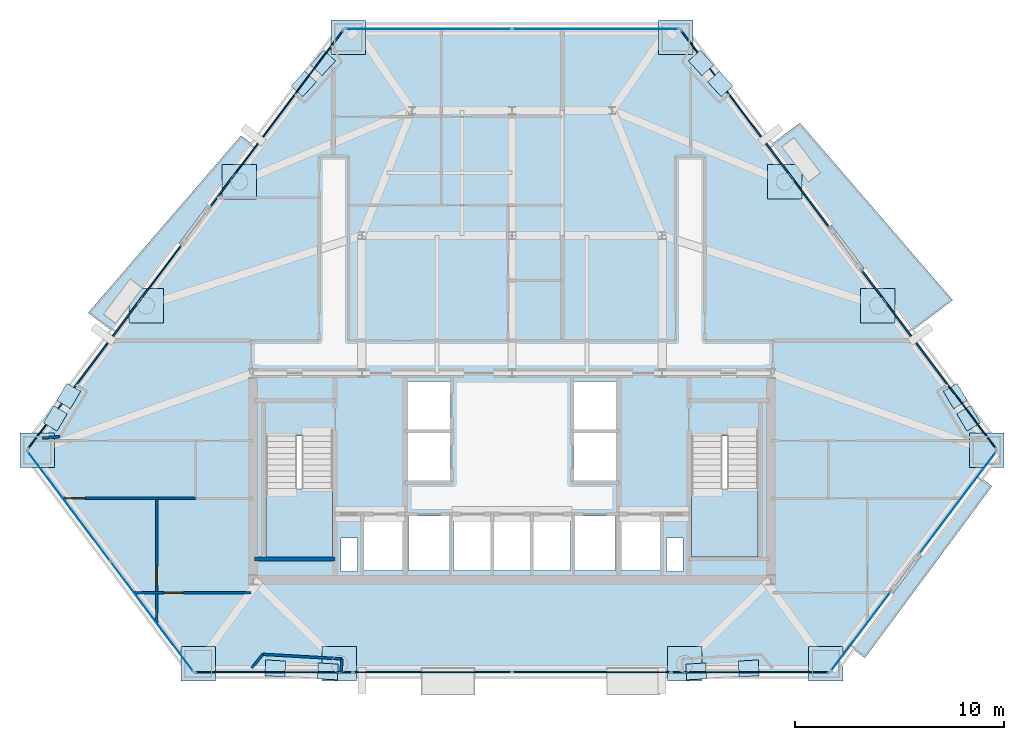
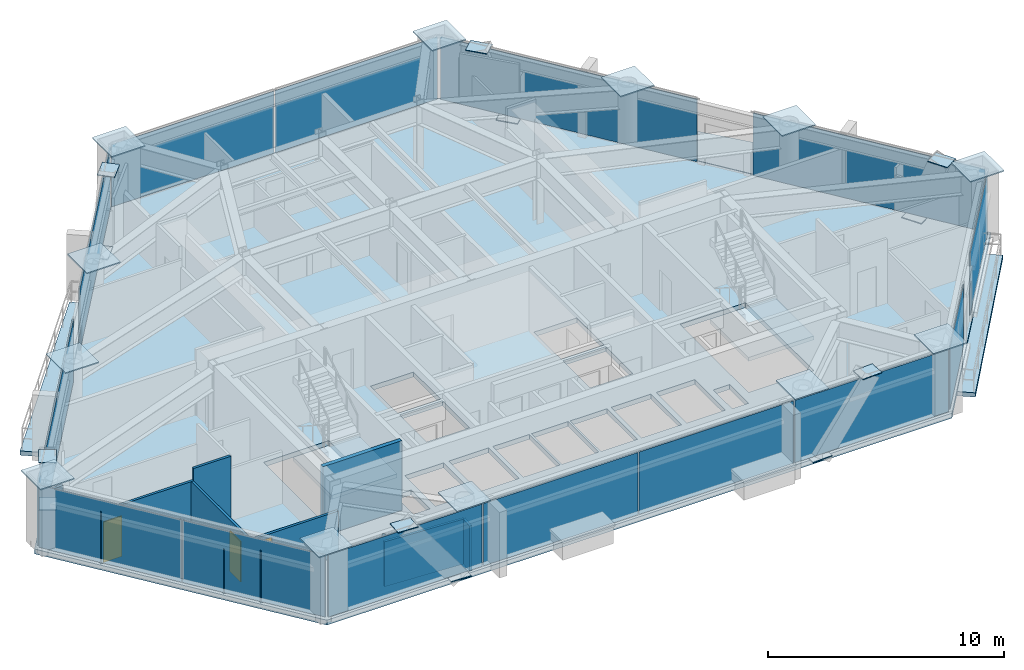
# One storey, part 5 of 10: 38 plates, 9 walls, 6 slabs, 3 doors, 3 openings, 11 elements without a shape of their own.
"""IFC4 building model written with IfcOpenShell, lengths in metres."""

from ifc_helpers import new_model, si_unit, direction, frame, frame_2d, origin, origin_2d, place, context, subcontext, project, spatial, polyline, rectangle, outline, extrude, source, transform, mapped, material, layer, layer_set, type_object, type_shapes, element, fill, aggregate, save


model = new_model("IFC4")

# Units and contexts
model_context = context("Model", 3, precision=1e-05, world=origin(), true_north=direction((0.0, 1.0)))
body_context = subcontext(model_context, "Body", "Model", "MODEL_VIEW")
ifc_project = project(units=[si_unit("LENGTHUNIT", "METRE"), si_unit("AREAUNIT", "SQUARE_METRE"), si_unit("VOLUMEUNIT", "CUBIC_METRE"), si_unit("PLANEANGLEUNIT", "RADIAN"), si_unit("MASSUNIT", "GRAM", prefix="KILO")], contexts=[model_context])

# Site, building, storey
site_placement = place(None, origin())
site = spatial("IfcSite", under=ifc_project, at=site_placement, CompositionType="ELEMENT")
building_placement = place(site_placement, origin())
building = spatial("IfcBuilding", under=site, at=building_placement, Name="Talgorran Terracotta Tower", CompositionType="ELEMENT")
storey_placement = place(building_placement, frame((0.0, 0.0, 49.5)))
storey = spatial("IfcBuildingStorey", under=building, at=storey_placement, Name="L12", CompositionType="ELEMENT", Elevation=49.5)

# Plates
ifc_material_1 = material(Name="Steel Grade 350 (350L0)", Category="steel")
ifc_layer_1 = layer(ifc_material_1, 0.0400390625, Name="PL_CAP_MN05")
ifc_layer_set_1 = layer_set([ifc_layer_1], Name="Steel Grade 350 (350L0)")
plate_type_1 = type_object("IfcPlateType", Name="PL_CAP_MN05", PredefinedType="USERDEFINED", material=ifc_layer_set_1)
for number, where, z_axis, x_axis, name in (
    (1, (-8.82958984375, -18.49560546875, -0.010009765625), (0.0, 0.0, 1.0), (-0.998351848226, 0.057389782566, 0.0), "L12 Diagonal Frame End Cap SWF Bot"),
    (2, (-11.3466796875, -18.35107421875, 3.320068359375), (0.0, 0.0, 1.0), (-0.998351848226, 0.057389782566, 0.0), "L12 Diagonal Frame End Cap SWF Top"),
    (3, (8.82958984375, -18.49560546875, -0.010009765625), (0.0, 0.0, 1.0), (0.998351848226, 0.057389782566, 0.0), "L12 Diagonal Frame End Cap SEF Bot"),
    (4, (11.3466796875, -18.35107421875, 3.320068359375), (0.0, 0.0, 1.0), (0.998351848226, 0.057389782566, 0.0), "L12 Diagonal Frame End Cap SEF Top"),
    (5, (21.251220703125, -5.2919921875, -0.010009765625), (0.0, 0.0, 1.0), (0.511293086077, -0.859406411501, 0.0), "L12 Diagonal Frame End Cap NEL Bot"),
    (6, (21.889892578125, -6.365478515625, 3.320068359375), (0.0, 0.0, 1.0), (0.511293086077, -0.859406411501, 0.0), "L12 Diagonal Frame End Cap NEL Top"),
    (7, (9.985595703125, 9.665283203125, -0.010009765625), (0.0, 0.0, 1.0), (-0.675332808121, 0.737513117358, 0.0), "L12 Diagonal Frame End Cap NEU Bot"),
    (8, (9.0634765625, 10.67236328125, 3.320068359375), (0.0, 0.0, 1.0), (-0.675332808121, 0.737513117358, 0.0), "L12 Diagonal Frame End Cap NEU Top"),
    (9, (-9.985595703125, 9.665283203125, -0.010009765625), (0.0, 0.0, 1.0), (0.675332808121, 0.737513117358, 0.0), "L12 Diagonal Frame End Cap NWU Bot"),
    (10, (-9.0634765625, 10.67236328125, 3.320068359375), (0.0, 0.0, 1.0), (0.675332808121, 0.737513117358, 0.0), "L12 Diagonal Frame End Cap NWU Top"),
    (11, (-21.251220703125, -5.2919921875, -0.010009765625), (0.0, 0.0, 1.0), (-0.511293086077, -0.859406411501, 0.0), "L12 Diagonal Frame End Cap NWL Bot"),
    (12, (-21.889892578125, -6.365478515625, 3.320068359375), (0.0, 0.0, 1.0), (-0.511293086077, -0.859406411501, 0.0), "L12 Diagonal Frame End Cap NWL Top"),
):
    element("IfcPlate", number, at=place(storey_placement, frame(where, z_axis=z_axis, x_axis=x_axis)), inside=storey, type_object=plate_type_1, Name=name, ObjectType="CAP PLATE", PredefinedType="USERDEFINED", context=body_context, shape_type="SweptSolid", body=[
        extrude(rectangle(XDim=0.9599609375, YDim=0.760009765625, at=origin_2d()), origin(), (0.0, 0.0, 1.0), 0.0400390625),
    ])
ifc_layer_2 = layer(ifc_material_1, 0.06005859375, Name="PL_NODE_MN01")
ifc_layer_set_2 = layer_set([ifc_layer_2], Name="Steel Grade 350 (350L0)")
plate_type_2 = type_object("IfcPlateType", Name="PL_NODE_MN01", PredefinedType="USERDEFINED", material=ifc_layer_set_2)
for number, where, z_axis, x_axis, name in (
    (13, (-22.759033203125, -7.892333984375, 3.5849609375), (0.0, 0.0, 1.0), (1.0, 0.0, 0.0), "L12 Mega-Column Cap Plate MC1"),
    (14, (-15.0439453125, -18.135498046875, 3.5849609375), (0.0, 0.0, 1.0), (1.0, 0.0, 0.0), "L12 Mega-Column Cap Plate MC2"),
    (15, (15.0439453125, -18.135498046875, 3.5849609375), (0.0, 0.0, 1.0), (1.0, 0.0, 0.0), "L12 Mega-Column Cap Plate MC3"),
    (16, (22.759033203125, -7.892333984375, 3.5849609375), (0.0, 0.0, 1.0), (1.0, 0.0, 0.0), "L12 Mega-Column Cap Plate MC4"),
    (17, (7.847412109375, 11.90576171875, 3.5849609375), (0.0, 0.0, 1.0), (1.0, 0.0, 0.0), "L12 Mega-Column Cap Plate MC5"),
    (18, (-7.847412109375, 11.90576171875, 3.5849609375), (0.0, 0.0, 1.0), (1.0, 0.0, 0.0), "L12 Mega-Column Cap Plate MC6"),
    (19, (-8.274169921875, -18.135498046875, 3.5849609375), (0.0, 0.0, 1.0), (1.0, 0.0, 0.0), "L12 Facet Column Cap Plate FC1"),
    (20, (8.274169921875, -18.135498046875, 3.5849609375), (0.0, 0.0, 1.0), (1.0, 0.0, 0.0), "L12 Facet Column Cap Plate FC2"),
    (21, (17.539794921875, -0.963134765625, 3.5849609375), (0.0, 0.0, 1.0), (1.0, 0.0, 0.0), "L12 Facet Column Cap Plate FC3"),
    (22, (13.06640625, 4.976318359375, 3.5849609375), (0.0, 0.0, 1.0), (1.0, 0.0, 0.0), "L12 Facet Column Cap Plate FC4"),
    (23, (-13.06640625, 4.976318359375, 3.5849609375), (0.0, 0.0, 1.0), (1.0, 0.0, 0.0), "L12 Facet Column Cap Plate FC5"),
    (24, (-17.539794921875, -0.963134765625, 3.5849609375), (0.0, 0.0, 1.0), (1.0, 0.0, 0.0), "L12 Facet Column Cap Plate FC6"),
):
    element("IfcPlate", number, at=place(storey_placement, frame(where, z_axis=z_axis, x_axis=x_axis)), inside=storey, type_object=plate_type_2, Name=name, ObjectType="NODE PLATE", PredefinedType="USERDEFINED", context=body_context, shape_type="SweptSolid", body=[
        extrude(rectangle(XDim=1.64990234375, YDim=1.64990234375, at=origin_2d()), origin(), (0.0, 0.0, 1.0), 0.06005859375),
    ])

# Slabs
ifc_material_2 = material(Name="Concrete C40/50", Category="concrete")
ifc_layer_3 = layer(ifc_material_2, 0.219970703125, Name="SL_BALCONY_220")
ifc_layer_set_3 = layer_set([ifc_layer_3], Name="Concrete C40/50")
slab_type_1 = type_object("IfcSlabType", Name="SL_BALCONY_220", PredefinedType="FLOOR", material=ifc_layer_set_3)
slab_1_placement = place(storey_placement, frame((0.0, 0.0, -0.219970703125)))
element("IfcSlab", 25, at=slab_1_placement, inside=storey, type_object=slab_type_1, Name="L12 Outdoor Wave Balcony BAL-NE", PredefinedType="FLOOR", context=body_context, shape_type="SweptSolid", body=[
    extrude(outline(polyline([(12.403564453125, 6.74560546875), (19.13720703125, -2.1943359375), (21.123046875, -0.698486328125), (13.798095703125, 7.7958984375), (12.403564453125, 6.74560546875)])), origin(), (0.0, 0.0, 1.0), 0.219970703125),
])
slab_2_placement = place(storey_placement, frame((0.0, 0.0, -0.219970703125)))
element("IfcSlab", 26, at=slab_2_placement, inside=storey, type_object=slab_type_1, Name="L12 Outdoor Wave Balcony BAL-NW", PredefinedType="FLOOR", context=body_context, shape_type="SweptSolid", body=[
    extrude(outline(polyline([(-19.13720703125, -2.1943359375), (-12.403564453125, 6.74560546875), (-12.98974609375, 7.18701171875), (-20.314697265625, -1.307373046875), (-19.13720703125, -2.1943359375)])), origin(), (0.0, 0.0, 1.0), 0.219970703125),
])
slab_3_placement = place(storey_placement, frame((0.0, 0.0, -0.219970703125)))
element("IfcSlab", 27, at=slab_3_placement, inside=storey, type_object=slab_type_1, Name="L12 Outdoor Wave Balcony BAL-SE", PredefinedType="FLOOR", context=body_context, shape_type="SweptSolid", body=[
    extrude(outline(polyline([(22.44921875, -9.193115234375), (16.2880859375, -17.373046875), (16.918212890625, -17.84765625), (23.0087890625, -9.614501953125), (22.44921875, -9.193115234375)])), origin(), (0.0, 0.0, 1.0), 0.219970703125),
])

# Stair, slab
stair_type = type_object("IfcStairType", Name="ST_FIRE_SCISSOR", PredefinedType="HALF_TURN_STAIR", material=ifc_material_2)
stair_1_placement = place(storey_placement, origin())
stair_1 = element("IfcStair", 28, at=stair_1_placement, inside=storey, type_object=stair_type, Name="L12 West Protected Fire Stair ST-01", PredefinedType="HALF_TURN_STAIR")
ifc_layer_4 = layer(ifc_material_2, 0.199951171875, Name="SL_LANDING_200")
ifc_layer_set_4 = layer_set([ifc_layer_4], Name="Concrete C40/50")
slab_type_2 = type_object("IfcSlabType", Name="SL_LANDING_200", PredefinedType="LANDING", material=ifc_layer_set_4)
slab_4_placement = place(storey_placement, frame((0.0, 0.0, 1.60009765625)))
slab_4 = element("IfcSlab", 29, at=slab_4_placement, type_object=slab_type_2, Name="ST-01 landing 1", PredefinedType="LANDING", context=body_context, shape_type="SweptSolid", body=[
    extrude(outline(polyline([(-11.800048828125, -9.719970703125), (-11.800048828125, -13.0), (-8.60009765625, -13.0), (-8.60009765625, -9.719970703125), (-11.800048828125, -9.719970703125)])), origin(), (0.0, 0.0, 1.0), 0.199951171875),
])
aggregate(stair_1, [slab_4])

stair_2_placement = place(storey_placement, origin())
stair_2 = element("IfcStair", 30, at=stair_2_placement, inside=storey, type_object=stair_type, Name="L12 East Protected Fire Stair ST-02", PredefinedType="HALF_TURN_STAIR")
slab_5_placement = place(storey_placement, frame((0.0, 0.0, 1.60009765625)))
slab_5 = element("IfcSlab", 31, at=slab_5_placement, type_object=slab_type_2, Name="ST-02 landing 1", PredefinedType="LANDING", context=body_context, shape_type="SweptSolid", body=[
    extrude(outline(polyline([(8.60009765625, -9.719970703125), (8.60009765625, -13.0), (11.800048828125, -13.0), (11.800048828125, -9.719970703125), (8.60009765625, -9.719970703125)])), origin(), (0.0, 0.0, 1.0), 0.199951171875),
])
aggregate(stair_2, [slab_5])

# Slab
ifc_layer_5 = layer(ifc_material_2, 0.264892578125, Name="SL_TOWER_265")
ifc_layer_set_5 = layer_set([ifc_layer_5], Name="Concrete C40/50")
slab_type_3 = type_object("IfcSlabType", Name="SL_TOWER_265", PredefinedType="FLOOR", material=ifc_layer_set_5)
slab_6_placement = place(storey_placement, frame((0.0, 0.0, -0.25)))
element("IfcSlab", 32, at=slab_6_placement, inside=storey, type_object=slab_type_3, Name="Storey L12 Structural Floor Slab", PredefinedType="FLOOR", context=body_context, shape_type="SweptSolid", body=[
    extrude(outline(polyline([(-23.409912109375, -7.892333984375), (-15.30322265625, -18.655517578125), (15.30322265625, -18.655517578125), (23.409912109375, -7.892333984375), (8.106689453125, 12.42578125), (-8.106689453125, 12.42578125), (-23.409912109375, -7.892333984375)]), holes=[polyline([(-11.800048828125, -7.199951171875), (-11.800048828125, -13.0), (-8.60009765625, -13.0), (-8.60009765625, -7.199951171875), (-11.800048828125, -7.199951171875)]), polyline([(8.60009765625, -7.199951171875), (8.60009765625, -13.0), (11.800048828125, -13.0), (11.800048828125, -7.199951171875), (8.60009765625, -7.199951171875)]), polyline([(-7.10009765625, -13.64990234375), (-5.199951171875, -13.64990234375), (-5.199951171875, -11.050048828125), (-7.10009765625, -11.050048828125), (-7.10009765625, -13.64990234375)]), polyline([(5.199951171875, -13.64990234375), (7.10009765625, -13.64990234375), (7.10009765625, -11.050048828125), (5.199951171875, -11.050048828125), (5.199951171875, -13.64990234375)]), polyline([(3.0, -13.64990234375), (4.949951171875, -13.64990234375), (4.949951171875, -11.050048828125), (3.0, -11.050048828125), (3.0, -13.64990234375)]), polyline([(-4.949951171875, -13.64990234375), (-3.0, -13.64990234375), (-3.0, -11.050048828125), (-4.949951171875, -11.050048828125), (-4.949951171875, -13.64990234375)]), polyline([(-5.050048828125, -9.35009765625), (-2.949951171875, -9.35009765625), (-2.949951171875, -7.050048828125), (-5.050048828125, -7.050048828125), (-5.050048828125, -9.35009765625)]), polyline([(-5.050048828125, -6.89990234375), (-2.949951171875, -6.89990234375), (-2.949951171875, -4.60009765625), (-5.050048828125, -4.60009765625), (-5.050048828125, -6.89990234375)]), polyline([(2.949951171875, -9.35009765625), (5.050048828125, -9.35009765625), (5.050048828125, -7.050048828125), (2.949951171875, -7.050048828125), (2.949951171875, -9.35009765625)]), polyline([(2.949951171875, -6.89990234375), (5.050048828125, -6.89990234375), (5.050048828125, -4.60009765625), (2.949951171875, -4.60009765625), (2.949951171875, -6.89990234375)]), polyline([(-2.800048828125, -13.64990234375), (-1.0, -13.64990234375), (-1.0, -11.050048828125), (-2.800048828125, -11.050048828125), (-2.800048828125, -13.64990234375)]), polyline([(-0.89990234375, -13.64990234375), (0.89990234375, -13.64990234375), (0.89990234375, -11.050048828125), (-0.89990234375, -11.050048828125), (-0.89990234375, -13.64990234375)]), polyline([(1.0, -13.64990234375), (2.800048828125, -13.64990234375), (2.800048828125, -11.050048828125), (1.0, -11.050048828125), (1.0, -13.64990234375)]), polyline([(-8.199951171875, -13.699951171875), (-7.39990234375, -13.699951171875), (-7.39990234375, -12.10009765625), (-8.199951171875, -12.10009765625), (-8.199951171875, -13.699951171875)]), polyline([(7.39990234375, -13.699951171875), (8.199951171875, -13.699951171875), (8.199951171875, -12.10009765625), (7.39990234375, -12.10009765625), (7.39990234375, -13.699951171875)])]), origin(), (0.0, 0.0, 1.0), 0.25),
])

# Curtain wall, plates
ifc_material_3 = material(Name="Unitised Low-E Double Glazing", Category="glass")
ifc_layer_6 = layer(ifc_material_3, 0.199951171875, Name="CW_SYS2_RES_LOW")
ifc_layer_set_6 = layer_set([ifc_layer_6], Name="Unitised Low-E Double Glazing")
curtain_wall_type = type_object("IfcCurtainWallType", Name="CW_SYS2_RES_LOW", PredefinedType="NOTDEFINED", material=ifc_layer_set_6)
curtain_wall_1_placement = place(storey_placement, origin())
curtain_wall_1 = element("IfcCurtainWall", 33, at=curtain_wall_1_placement, inside=storey, type_object=curtain_wall_type, Name="CW-L12-F0", PredefinedType="NOTDEFINED")
ifc_material_4 = material(Name="Low-E Laminated Vision Glass", Category="glass")
ifc_layer_7 = layer(ifc_material_4, 0.028076171875, Name="PLT_VISION_28")
ifc_layer_set_7 = layer_set([ifc_layer_7], Name="Low-E Laminated Vision Glass")
plate_type_3 = type_object("IfcPlateType", Name="PLT_VISION_28", PredefinedType="CURTAIN_PANEL", material=ifc_layer_set_7)
shared_shape_1 = source(origin(), body_context, "Body", "SweptSolid", [
    extrude(rectangle(XDim=6.564697265625, YDim=0.028076171875, at=origin_2d()), origin(), (0.0, 0.0, 1.0), 3.219970703125),
])
plate_1_placement = place(storey_placement, frame((-21.245849609375, -10.566162109375, 0.06494140625), z_axis=(0.0, 0.0, 1.0), x_axis=(0.60163184062, -0.798773515054, 0.0)))
plate_1 = element("IfcPlate", 34, at=plate_1_placement, type_object=plate_type_3, Name="CW-L12-0 panel 1.1", PredefinedType="CURTAIN_PANEL", context=body_context, shape_type="MappedRepresentation", body=[
    mapped(shared_shape_1, transform((0.0, 0.0, 0.0), scale=1.0)),
])
plate_2_placement = place(storey_placement, frame((-17.25732421875, -15.86181640625, 0.06494140625), z_axis=(0.0, 0.0, 1.0), x_axis=(0.60163184062, -0.798773515054, 0.0)))
plate_2 = element("IfcPlate", 35, at=plate_2_placement, type_object=plate_type_3, Name="CW-L12-0 panel 2.1", PredefinedType="CURTAIN_PANEL", context=body_context, shape_type="MappedRepresentation", body=[
    mapped(shared_shape_1, transform((0.0, 0.0, 0.0), scale=1.0)),
])
aggregate(curtain_wall_1, [plate_1, plate_2])

curtain_wall_2_placement = place(storey_placement, origin())
curtain_wall_2 = element("IfcCurtainWall", 36, at=curtain_wall_2_placement, inside=storey, type_object=curtain_wall_type, Name="CW-L12-F4", PredefinedType="NOTDEFINED")
shared_shape_2 = source(origin(), body_context, "Body", "SweptSolid", [
    extrude(rectangle(XDim=7.949462890625, YDim=0.028076171875, at=origin_2d()), origin(), (0.0, 0.0, 1.0), 3.219970703125),
])
plate_3_placement = place(storey_placement, frame((4.007080078125, 12.3056640625, 0.06494140625), z_axis=(0.0, 0.0, 1.0), x_axis=(-1.0, 0.0, 0.0)))
plate_3 = element("IfcPlate", 37, at=plate_3_placement, type_object=plate_type_3, Name="CW-L12-4 panel 1.1", PredefinedType="CURTAIN_PANEL", context=body_context, shape_type="MappedRepresentation", body=[
    mapped(shared_shape_2, transform((0.0, 0.0, 0.0), scale=1.0)),
])
plate_4_placement = place(storey_placement, frame((-4.007080078125, 12.3056640625, 0.06494140625), z_axis=(0.0, 0.0, 1.0), x_axis=(-1.0, 0.0, 0.0)))
plate_4 = element("IfcPlate", 38, at=plate_4_placement, type_object=plate_type_3, Name="CW-L12-4 panel 2.1", PredefinedType="CURTAIN_PANEL", context=body_context, shape_type="MappedRepresentation", body=[
    mapped(shared_shape_2, transform((0.0, 0.0, 0.0), scale=1.0)),
])
aggregate(curtain_wall_2, [plate_3, plate_4])

# Curtain wall, plate
curtain_wall_3_placement = place(storey_placement, origin())
curtain_wall_3 = element("IfcCurtainWall", 39, at=curtain_wall_3_placement, inside=storey, type_object=curtain_wall_type, Name="CW-L12-F30", PredefinedType="NOTDEFINED")
shared_shape_3 = source(origin(), body_context, "Body", "SweptSolid", [
    extrude(rectangle(XDim=4.714599609375, YDim=0.028076171875, at=origin_2d()), origin(), (0.0, 0.0, 1.0), 3.219970703125),
])
plate_5_placement = place(storey_placement, frame((16.724853515625, -16.568603515625, 0.06494140625), z_axis=(0.0, 0.0, 1.0), x_axis=(0.601630235956, 0.798774723676, 0.0)))
plate_5 = element("IfcPlate", 40, at=plate_5_placement, type_object=plate_type_3, Name="CW-L12-30 panel 1.1", PredefinedType="CURTAIN_PANEL", context=body_context, shape_type="MappedRepresentation", body=[
    mapped(shared_shape_3, transform((0.0, 0.0, 0.0), scale=1.0)),
])
aggregate(curtain_wall_3, [plate_5])

curtain_wall_4_placement = place(storey_placement, origin())
curtain_wall_4 = element("IfcCurtainWall", 41, at=curtain_wall_4_placement, inside=storey, type_object=curtain_wall_type, Name="CW-L12-F31", PredefinedType="NOTDEFINED")
shared_shape_4 = source(origin(), body_context, "Body", "SweptSolid", [
    extrude(rectangle(XDim=6.109619140625, YDim=0.028076171875, at=origin_2d()), origin(), (0.0, 0.0, 1.0), 3.219970703125),
])
type_shapes(plate_type_3, [shared_shape_1, shared_shape_2, shared_shape_3, shared_shape_4])
plate_6_placement = place(storey_placement, frame((21.358642578125, -10.41650390625, 0.06494140625), z_axis=(0.0, 0.0, 1.0), x_axis=(0.601632163053, 0.798773272199, 0.0)))
plate_6 = element("IfcPlate", 42, at=plate_6_placement, type_object=plate_type_3, Name="CW-L12-31 panel 1.1", PredefinedType="CURTAIN_PANEL", context=body_context, shape_type="MappedRepresentation", body=[
    mapped(shared_shape_4, transform((0.0, 0.0, 0.0), scale=1.0)),
])
aggregate(curtain_wall_4, [plate_6])

# Curtain wall, plates
curtain_wall_5_placement = place(storey_placement, origin())
curtain_wall_5 = element("IfcCurtainWall", 43, at=curtain_wall_5_placement, inside=storey, type_object=curtain_wall_type, Name="CW-L12-F1", PredefinedType="NOTDEFINED")
ifc_material_5 = material(Name="Terracotta Insulated Spandrel", Category="masonry")
ifc_layer_8 = layer(ifc_material_5, 0.06494140625, Name="PLT_SPANDREL_TERRA")
ifc_layer_set_8 = layer_set([ifc_layer_8], Name="Terracotta Insulated Spandrel")
plate_type_4 = type_object("IfcPlateType", Name="PLT_SPANDREL_TERRA", PredefinedType="SHEET", material=ifc_layer_set_8)
shared_shape_5 = source(origin(), body_context, "Body", "SweptSolid", [
    extrude(rectangle(XDim=7.524169921875, YDim=0.06494140625, at=origin_2d()), origin(), (0.0, 0.0, 1.0), 3.219970703125),
])
plate_7_placement = place(storey_placement, frame((-11.416259765625, -18.53564453125, 0.06494140625), z_axis=(0.0, 0.0, 1.0), x_axis=(1.0, 0.0, 0.0)))
plate_7 = element("IfcPlate", 44, at=plate_7_placement, type_object=plate_type_4, Name="CW-L12-1 panel 1.1", PredefinedType="CURTAIN_PANEL", context=body_context, shape_type="MappedRepresentation", body=[
    mapped(shared_shape_5, transform((0.0, 0.0, 0.0), scale=1.0)),
])
plate_8_placement = place(storey_placement, frame((11.416259765625, -18.53564453125, 0.06494140625), z_axis=(0.0, 0.0, 1.0), x_axis=(1.0, 0.0, 0.0)))
plate_8 = element("IfcPlate", 45, at=plate_8_placement, type_object=plate_type_4, Name="CW-L12-1 panel 4.1", PredefinedType="CURTAIN_PANEL", context=body_context, shape_type="MappedRepresentation", body=[
    mapped(shared_shape_5, transform((0.0, 0.0, 0.0), scale=1.0)),
])
shared_shape_6 = source(origin(), body_context, "Body", "SweptSolid", [
    extrude(rectangle(XDim=7.556640625, YDim=0.06494140625, at=origin_2d()), origin(), (0.0, 0.0, 1.0), 3.219970703125),
])
plate_9_placement = place(storey_placement, frame((-3.810791015625, -18.53564453125, 0.06494140625), z_axis=(0.0, 0.0, 1.0), x_axis=(1.0, 0.0, 0.0)))
plate_9 = element("IfcPlate", 46, at=plate_9_placement, type_object=plate_type_4, Name="CW-L12-1 panel 2.1", PredefinedType="CURTAIN_PANEL", context=body_context, shape_type="MappedRepresentation", body=[
    mapped(shared_shape_6, transform((0.0, 0.0, 0.0), scale=1.0)),
])
plate_10_placement = place(storey_placement, frame((3.810791015625, -18.53564453125, 0.06494140625), z_axis=(0.0, 0.0, 1.0), x_axis=(1.0, 0.0, 0.0)))
plate_10 = element("IfcPlate", 47, at=plate_10_placement, type_object=plate_type_4, Name="CW-L12-1 panel 3.1", PredefinedType="CURTAIN_PANEL", context=body_context, shape_type="MappedRepresentation", body=[
    mapped(shared_shape_6, transform((0.0, 0.0, 0.0), scale=1.0)),
])
aggregate(curtain_wall_5, [plate_7, plate_9, plate_10, plate_8])

# Curtain wall, plate
curtain_wall_6_placement = place(storey_placement, origin())
curtain_wall_6 = element("IfcCurtainWall", 48, at=curtain_wall_6_placement, inside=storey, type_object=curtain_wall_type, Name="CW-L12-F40", PredefinedType="NOTDEFINED")
shared_shape_7 = source(origin(), body_context, "Body", "SweptSolid", [
    extrude(rectangle(XDim=10.689697265625, YDim=0.06494140625, at=origin_2d()), origin(), (0.0, 0.0, 1.0), 3.219970703125),
])
plate_11_placement = place(storey_placement, frame((19.98095703125, -3.5390625, 0.06494140625), z_axis=(0.0, 0.0, 1.0), x_axis=(-0.601626904327, 0.79877723302, 0.0)))
plate_11 = element("IfcPlate", 49, at=plate_11_placement, type_object=plate_type_4, Name="CW-L12-40 panel 1.1", PredefinedType="CURTAIN_PANEL", context=body_context, shape_type="MappedRepresentation", body=[
    mapped(shared_shape_7, transform((0.0, 0.0, 0.0), scale=1.0)),
])
aggregate(curtain_wall_6, [plate_11])

curtain_wall_7_placement = place(storey_placement, origin())
curtain_wall_7 = element("IfcCurtainWall", 50, at=curtain_wall_7_placement, inside=storey, type_object=curtain_wall_type, Name="CW-L12-F41", PredefinedType="NOTDEFINED")
shared_shape_8 = source(origin(), body_context, "Body", "SweptSolid", [
    extrude(rectangle(XDim=11.79638671875, YDim=0.06494140625, at=origin_2d()), origin(), (0.0, 0.0, 1.0), 3.219970703125),
])
plate_12_placement = place(storey_placement, frame((11.65869140625, 7.510498046875, 0.06494140625), z_axis=(0.0, 0.0, 1.0), x_axis=(-0.601627400832, 0.798776859059, 0.0)))
plate_12 = element("IfcPlate", 51, at=plate_12_placement, type_object=plate_type_4, Name="CW-L12-41 panel 1.1", PredefinedType="CURTAIN_PANEL", context=body_context, shape_type="MappedRepresentation", body=[
    mapped(shared_shape_8, transform((0.0, 0.0, 0.0), scale=1.0)),
])
aggregate(curtain_wall_7, [plate_12])

curtain_wall_8_placement = place(storey_placement, origin())
curtain_wall_8 = element("IfcCurtainWall", 52, at=curtain_wall_8_placement, inside=storey, type_object=curtain_wall_type, Name="CW-L12-F60", PredefinedType="NOTDEFINED")
shared_shape_9 = source(origin(), body_context, "Body", "SweptSolid", [
    extrude(rectangle(XDim=10.57666015625, YDim=0.06494140625, at=origin_2d()), origin(), (0.0, 0.0, 1.0), 3.219970703125),
])
plate_13_placement = place(storey_placement, frame((-11.291748046875, 7.99755859375, 0.06494140625), z_axis=(0.0, 0.0, 1.0), x_axis=(-0.601627654689, -0.798776667858, 0.0)))
plate_13 = element("IfcPlate", 53, at=plate_13_placement, type_object=plate_type_4, Name="CW-L12-60 panel 1.1", PredefinedType="CURTAIN_PANEL", context=body_context, shape_type="MappedRepresentation", body=[
    mapped(shared_shape_9, transform((0.0, 0.0, 0.0), scale=1.0)),
])
aggregate(curtain_wall_8, [plate_13])

curtain_wall_9_placement = place(storey_placement, origin())
curtain_wall_9 = element("IfcCurtainWall", 54, at=curtain_wall_9_placement, inside=storey, type_object=curtain_wall_type, Name="CW-L12-F61", PredefinedType="NOTDEFINED")
shared_shape_10 = source(origin(), body_context, "Body", "SweptSolid", [
    extrude(rectangle(XDim=12.20947265625, YDim=0.06494140625, at=origin_2d()), origin(), (0.0, 0.0, 1.0), 3.219970703125),
])
type_shapes(plate_type_4, [shared_shape_5, shared_shape_6, shared_shape_7, shared_shape_8, shared_shape_9, shared_shape_10])
plate_14_placement = place(storey_placement, frame((-19.523681640625, -2.93212890625, 0.06494140625), z_axis=(0.0, 0.0, 1.0), x_axis=(-0.601628641773, -0.798775924398, 0.0)))
plate_14 = element("IfcPlate", 55, at=plate_14_placement, type_object=plate_type_4, Name="CW-L12-61 panel 1.1", PredefinedType="CURTAIN_PANEL", context=body_context, shape_type="MappedRepresentation", body=[
    mapped(shared_shape_10, transform((0.0, 0.0, 0.0), scale=1.0)),
])
aggregate(curtain_wall_9, [plate_14])

# Wall
ifc_material_6 = material(Name="Concrete C50/60", Category="concrete")
ifc_layer_9 = layer(ifc_material_6, 0.199951171875, Name="WT_CORE_200")
ifc_layer_set_9 = layer_set([ifc_layer_9], Name="Concrete C50/60")
wall_type_1 = type_object("IfcWallType", Name="WT_CORE_200", PredefinedType="SOLIDWALL", material=ifc_layer_set_9)
wall_1_placement = place(storey_placement, frame((-12.35009765625, -13.10009765625, 0.0), z_axis=(0.0, 0.0, 1.0), x_axis=(1.0, 0.0, 0.0)))
element("IfcWall", 56, at=wall_1_placement, inside=storey, type_object=wall_type_1, Name="WL-L12-CW-ST1-S", PredefinedType="SOLIDWALL", context=body_context, shape_type="SweptSolid", body=[
    extrude(rectangle(XDim=3.8701171875, YDim=0.199951171875, at=frame_2d((1.93505859375, 0.0))), origin(), (0.0, 0.0, 1.0), 3.60009765625),
])

# Wall, opening, door
ifc_material_7 = material(Name="Insulated Steel Stud Plasterboard", Category="steel")
ifc_layer_10 = layer(ifc_material_7, 0.1201171875, Name="WT_PART_120")
ifc_layer_set_10 = layer_set([ifc_layer_10], Name="Insulated Steel Stud Plasterboard")
wall_type_2 = type_object("IfcWallType", Name="WT_PART_120", PredefinedType="PARTITIONING", material=ifc_layer_set_10)
wall_2_placement = place(storey_placement, frame((-17.0400390625, -16.150390625, 0.0), z_axis=(0.0, 0.0, 1.0), x_axis=(0.0, 1.0, 0.0)))
wall_2 = element("IfcWall", 57, at=wall_2_placement, inside=storey, type_object=wall_type_2, Name="WL-L12-W-L12-R25", PredefinedType="PARTITIONING", context=body_context, shape_type="SweptSolid", body=[
    extrude(rectangle(XDim=5.950439453125, YDim=0.1201171875, at=frame_2d((2.97509765625, 0.0))), origin(), (0.0, 0.0, 1.0), 2.71337890625),
])
opening_1_placement = place(wall_2_placement, frame((1.768798828125, 0.0, 0.0)))
opening_1 = element("IfcOpeningElement", 58, at=opening_1_placement, cuts=wall_2, Name="Opening DR-L12-R22", PredefinedType="OPENING", context=body_context, shape_type="SweptSolid", body=[
    extrude(rectangle(XDim=0.925921875, YDim=2.10409765625, at=frame_2d((0.4599609375, 1.052001953125))), frame((0.0, 0.070068359375, 0.0), z_axis=(0.0, -1.0, 0.0), x_axis=(1.0, 0.0, 0.0)), (0.0, 0.0, 1.0), 0.14013671875),
])
ifc_material_8 = material(Name="Solid-Core Painted Timber", Category="wood")
door_type = type_object("IfcDoorType", Name="DT_INT_920", OperationType="NOTDEFINED", PredefinedType="DOOR", material=ifc_material_8)
door_1_placement = place(opening_1_placement, origin())
door_1 = element("IfcDoor", 59, at=door_1_placement, inside=storey, type_object=door_type, Name="DR-L12-R22", OperationType="SINGLE_SWING_RIGHT", OverallHeight=2.10009765625, OverallWidth=0.919921875, PredefinedType="DOOR", context=body_context, shape_type="SweptSolid", body=[
    extrude(rectangle(XDim=0.919921875, YDim=2.10009765625, at=frame_2d((0.4599609375, 1.050048828125))), frame((0.0, 0.02490234375, 0.0), z_axis=(0.0, -1.0, 0.0), x_axis=(1.0, 0.0, 0.0)), (0.0, 0.0, 1.0), 0.050048828125),
])
fill(opening_1, door_1)

wall_3_placement = place(storey_placement, frame((-18.1171875, -14.719970703125, 0.0), z_axis=(0.0, 0.0, 1.0), x_axis=(1.0, 0.0, 0.0)))
wall_3 = element("IfcWall", 60, at=wall_3_placement, inside=storey, type_object=wall_type_2, Name="WL-L12-W-L12-R26", PredefinedType="PARTITIONING", context=body_context, shape_type="SweptSolid", body=[
    extrude(rectangle(XDim=5.6171875, YDim=0.1201171875, at=frame_2d((2.80859375, 0.0))), origin(), (0.0, 0.0, 1.0), 2.324951171875),
])
opening_2_placement = place(wall_3_placement, frame((1.435791015625, 0.0, 0.0)))
opening_2 = element("IfcOpeningElement", 61, at=opening_2_placement, cuts=wall_3, Name="Opening DR-L12-R05", PredefinedType="OPENING", context=body_context, shape_type="SweptSolid", body=[
    extrude(rectangle(XDim=0.925921875, YDim=2.10409765625, at=frame_2d((0.4599609375, 1.052001953125))), frame((0.0, 0.070068359375, 0.0), z_axis=(0.0, -1.0, 0.0), x_axis=(1.0, 0.0, 0.0)), (0.0, 0.0, 1.0), 0.14013671875),
])
door_2_placement = place(opening_2_placement, origin())
door_2 = element("IfcDoor", 62, at=door_2_placement, inside=storey, type_object=door_type, Name="DR-L12-R05", OperationType="SINGLE_SWING_LEFT", OverallHeight=2.10009765625, OverallWidth=0.919921875, PredefinedType="DOOR", context=body_context, shape_type="SweptSolid", body=[
    extrude(rectangle(XDim=0.919921875, YDim=2.10009765625, at=frame_2d((0.4599609375, 1.050048828125))), frame((0.0, 0.02490234375, 0.0), z_axis=(0.0, -1.0, 0.0), x_axis=(1.0, 0.0, 0.0)), (0.0, 0.0, 1.0), 0.050048828125),
])
fill(opening_2, door_2)

wall_4_placement = place(storey_placement, frame((-21.521728515625, -10.199951171875, 0.0), z_axis=(0.0, 0.0, 1.0), x_axis=(1.0, 0.0, 0.0)))
wall_4 = element("IfcWall", 63, at=wall_4_placement, inside=storey, type_object=wall_type_2, Name="WL-L12-W-L12-R23", PredefinedType="PARTITIONING", context=body_context, shape_type="SweptSolid", body=[
    extrude(rectangle(XDim=4.541748046875, YDim=0.1201171875, at=frame_2d((2.27099609375, 0.0))), origin(), (0.0, 0.0, 1.0), 2.71337890625),
])
opening_3_placement = place(wall_4_placement, frame((0.1396484375, 0.0, 0.0)))
opening_3 = element("IfcOpeningElement", 64, at=opening_3_placement, cuts=wall_4, Name="Opening DR-L12-R04", PredefinedType="OPENING", context=body_context, shape_type="SweptSolid", body=[
    extrude(rectangle(XDim=0.925921875, YDim=2.10409765625, at=frame_2d((0.4599609375, 1.052001953125))), frame((0.0, 0.070068359375, 0.0), z_axis=(0.0, -1.0, 0.0), x_axis=(1.0, 0.0, 0.0)), (0.0, 0.0, 1.0), 0.14013671875),
])
door_3_placement = place(opening_3_placement, origin())
door_3 = element("IfcDoor", 65, at=door_3_placement, inside=storey, type_object=door_type, Name="DR-L12-R04", OperationType="SINGLE_SWING_RIGHT", OverallHeight=2.10009765625, OverallWidth=0.919921875, PredefinedType="DOOR", context=body_context, shape_type="SweptSolid", body=[
    extrude(rectangle(XDim=0.919921875, YDim=2.10009765625, at=frame_2d((0.4599609375, 1.050048828125))), frame((0.0, 0.02490234375, 0.0), z_axis=(0.0, -1.0, 0.0), x_axis=(1.0, 0.0, 0.0)), (0.0, 0.0, 1.0), 0.050048828125),
])
fill(opening_3, door_3)

# Walls
wall_5_placement = place(storey_placement, frame((-11.948974609375, -17.675537109375, 0.0), z_axis=(0.0, 0.0, 1.0), x_axis=(0.998357508525, -0.057291231189, 0.0)))
element("IfcWall", 66, at=wall_5_placement, inside=storey, type_object=wall_type_2, Name="WL-L12-BW-L12-02", PredefinedType="PARTITIONING", context=body_context, shape_type="SweptSolid", body=[
    extrude(rectangle(XDim=3.80126953125, YDim=0.1201171875, at=frame_2d((1.900634765625, 0.0))), origin(), (0.0, 0.0, 1.0), 2.324951171875),
])
wall_6_placement = place(storey_placement, frame((-16.97802734375, -10.199951171875, 0.0), z_axis=(0.0, 0.0, 1.0), x_axis=(1.0, 0.0, 0.0)))
element("IfcWall", 67, at=wall_6_placement, inside=storey, type_object=wall_type_2, Name="WL-L12-W-L12-R24", PredefinedType="PARTITIONING", context=body_context, shape_type="SweptSolid", body=[
    extrude(rectangle(XDim=1.818115234375, YDim=0.1201171875, at=frame_2d((0.9091796875, 0.0))), origin(), (0.0, 0.0, 1.0), 3.35009765625),
])
wall_7_placement = place(storey_placement, frame((-12.478515625, -18.333984375, 0.0), z_axis=(0.0, 0.0, 1.0), x_axis=(0.626701436355, 0.779259462356, 0.0)))
element("IfcWall", 68, at=wall_7_placement, inside=storey, type_object=wall_type_2, Name="WL-L12-BW-L12-01", PredefinedType="PARTITIONING", context=body_context, shape_type="SweptSolid", body=[
    extrude(rectangle(XDim=0.844970703125, YDim=0.1201171875, at=frame_2d((0.42236328125, 0.0))), origin(), (0.0, 0.0, 1.0), 2.71337890625),
])
wall_8_placement = place(storey_placement, frame((-21.6669921875, -7.242919921875, 0.0), z_axis=(0.0, 0.0, 1.0), x_axis=(-0.997468959841, -0.071103264016, 0.0)))
element("IfcWall", 69, at=wall_8_placement, inside=storey, type_object=wall_type_2, Name="WL-L12-BW-L12-09", PredefinedType="PARTITIONING", context=body_context, shape_type="SweptSolid", body=[
    extrude(rectangle(XDim=0.8447265625, YDim=0.1201171875, at=frame_2d((0.42236328125, 0.0))), origin(), (0.0, 0.0, 1.0), 2.324951171875),
])
wall_9_placement = place(storey_placement, frame((-8.154052734375, -17.893310546875, 0.0), z_axis=(0.0, 0.0, 1.0), x_axis=(-0.057049790539, -0.998371334424, 0.0)))
element("IfcWall", 70, at=wall_9_placement, inside=storey, type_object=wall_type_2, Name="WL-L12-BW-L12-03", PredefinedType="PARTITIONING", context=body_context, shape_type="SweptSolid", body=[
    extrude(rectangle(XDim=0.63330078125, YDim=0.1201171875, at=frame_2d((0.316650390625, 0.0))), origin(), (0.0, 0.0, 1.0), 2.324951171875),
])

save(model, "model.ifc")
